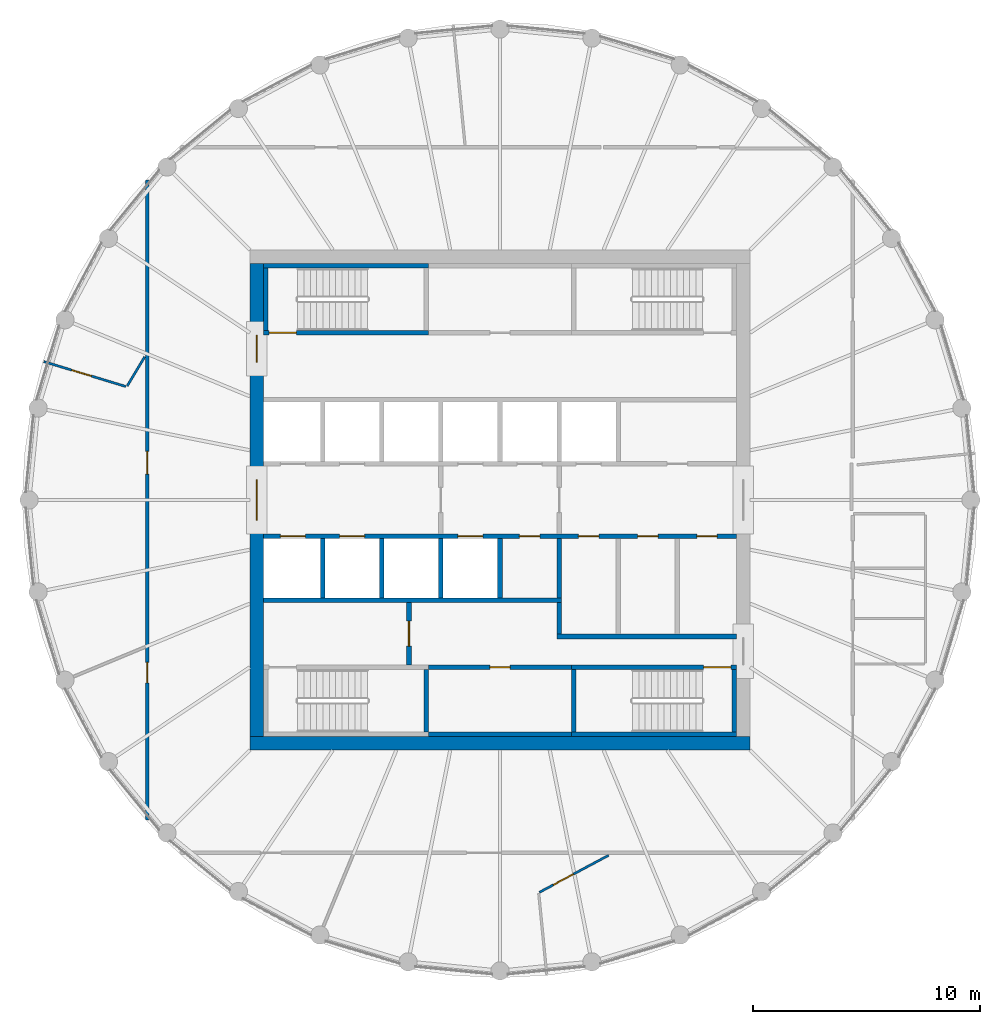
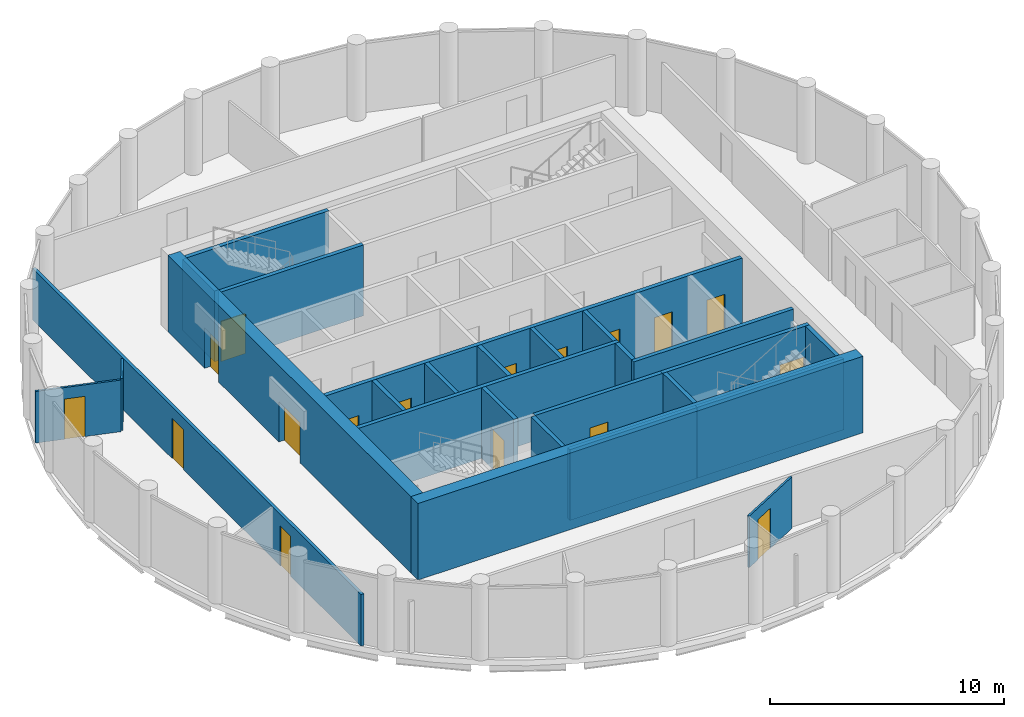
# One storey, part 4 of 7: 26 walls, 17 doors, 17 openings.
"""IFC4 building model written with IfcOpenShell, lengths in metres."""

from ifc_helpers import new_model, si_unit, direction, frame, frame_2d, origin, place, context, subcontext, project, spatial, polyline, rectangle, outline, extrude, material, layer, layer_set, type_object, element, fill, save


model = new_model("IFC4")

# Units and contexts
model_context = context("Model", 3, precision=1e-05, world=origin(), true_north=direction((0.0, 1.0)))
body_context = subcontext(model_context, "Body", "Model", "MODEL_VIEW")
ifc_project = project(units=[si_unit("LENGTHUNIT", "METRE"), si_unit("AREAUNIT", "SQUARE_METRE"), si_unit("VOLUMEUNIT", "CUBIC_METRE"), si_unit("PLANEANGLEUNIT", "RADIAN"), si_unit("MASSUNIT", "GRAM", prefix="KILO")], contexts=[model_context])

# Site, building, storey
site_placement = place(None, origin())
site = spatial("IfcSite", under=ifc_project, at=site_placement, CompositionType="ELEMENT")
building_placement = place(site_placement, origin())
building = spatial("IfcBuilding", under=site, at=building_placement, Name="Corvane Civic Tower", CompositionType="ELEMENT")
storey_placement = place(building_placement, frame((0.0, 0.0, 360.5)))
storey = spatial("IfcBuildingStorey", under=building, at=storey_placement, Name="L86", CompositionType="ELEMENT", Elevation=360.5)

# Wall
ifc_material_1 = material(Name="Concrete C40/50", Category="concrete")
ifc_layer_1 = layer(ifc_material_1, 0.60009765625)
ifc_layer_set_1 = layer_set([ifc_layer_1], Name="Concrete C40/50")
wall_type_1 = type_object("IfcWallType", Name="CORE WALL 600 C40/50", PredefinedType="SHEAR", material=ifc_layer_set_1)
wall_1_placement = place(storey_placement, frame((-11.0, -10.699951171875, 0.0), z_axis=(0.0, 0.0, 1.0), x_axis=(1.0, 0.0, 0.0)))
element("IfcWall", 1, at=wall_1_placement, inside=storey, type_object=wall_type_1, Name="W-L86-core-S", PredefinedType="SHEAR", context=body_context, shape_type="SweptSolid", body=[
    extrude(rectangle(XDim=22.0, YDim=0.60009765625, at=frame_2d((11.0, 0.0))), origin(), (0.0, 0.0, 1.0), 4.0),
])

# Wall, openings, doors
wall_2_placement = place(storey_placement, frame((-10.699951171875, -10.39990234375, 0.0), z_axis=(0.0, 0.0, 1.0), x_axis=(0.0, 1.0, 0.0)))
wall_2 = element("IfcWall", 2, at=wall_2_placement, inside=storey, type_object=wall_type_1, Name="W-L86-core-W", PredefinedType="SHEAR", context=body_context, shape_type="SweptSolid", body=[
    extrude(rectangle(XDim=20.7998046875, YDim=0.60009765625, at=frame_2d((10.39990234375, 0.0))), origin(), (0.0, 0.0, 1.0), 4.0),
])
opening_1_placement = place(wall_2_placement, frame((9.5, 0.0, 0.0)))
opening_1 = element("IfcOpeningElement", 3, at=opening_1_placement, cuts=wall_2, Name="Opening L86.C15", PredefinedType="OPENING", context=body_context, shape_type="SweptSolid", body=[
    extrude(rectangle(XDim=1.800048828125, YDim=2.10009765625, at=frame_2d((0.89990234375, 1.050048828125))), frame((0.0, 0.31005859375, 0.0), z_axis=(0.0, -1.0, 0.0), x_axis=(1.0, 0.0, 0.0)), (0.0, 0.0, 1.0), 0.6201171875),
])
opening_2_placement = place(wall_2_placement, frame((16.449951171875, 0.0, 0.0)))
opening_2 = element("IfcOpeningElement", 4, at=opening_2_placement, cuts=wall_2, Name="Opening L86.C17", PredefinedType="OPENING", context=body_context, shape_type="SweptSolid", body=[
    extrude(rectangle(XDim=1.199951171875, YDim=2.10009765625, at=frame_2d((0.60009765625, 1.050048828125))), frame((0.0, 0.31005859375, 0.0), z_axis=(0.0, -1.0, 0.0), x_axis=(1.0, 0.0, 0.0)), (0.0, 0.0, 1.0), 0.6201171875),
])
ifc_material_2 = material(Name="Steel fire door leaf", Category="steel")
door_type_1 = type_object("IfcDoorType", Name="CR-DOOR-CORE-1800", OperationType="DOUBLE_DOOR_SINGLE_SWING", PredefinedType="DOOR", material=ifc_material_2)
door_1_placement = place(opening_1_placement, origin())
door_1 = element("IfcDoor", 5, at=door_1_placement, inside=storey, type_object=door_type_1, Name="L86 door", OperationType="DOUBLE_DOOR_SINGLE_SWING", OverallHeight=2.10009765625, OverallWidth=1.800048828125, PredefinedType="DOOR", context=body_context, shape_type="SweptSolid", body=[
    extrude(rectangle(XDim=1.800048828125, YDim=2.10009765625, at=frame_2d((0.89990234375, 1.050048828125))), frame((0.0, 0.02490234375, 0.0), z_axis=(0.0, -1.0, 0.0), x_axis=(1.0, 0.0, 0.0)), (0.0, 0.0, 1.0), 0.050048828125),
])
fill(opening_1, door_1)
door_2_placement = place(opening_2_placement, origin())
door_2 = element("IfcDoor", 6, at=door_2_placement, inside=storey, type_object=door_type_1, Name="L86 door", OperationType="DOUBLE_DOOR_SINGLE_SWING", OverallHeight=2.10009765625, OverallWidth=1.199951171875, PredefinedType="DOOR", context=body_context, shape_type="SweptSolid", body=[
    extrude(rectangle(XDim=1.199951171875, YDim=2.10009765625, at=frame_2d((0.60009765625, 1.050048828125))), frame((0.0, 0.02490234375, 0.0), z_axis=(0.0, -1.0, 0.0), x_axis=(1.0, 0.0, 0.0)), (0.0, 0.0, 1.0), 0.050048828125),
])
fill(opening_2, door_2)

# Wall, opening, door
ifc_material_3 = material(Name="Concrete C30/37", Category="concrete")
ifc_layer_2 = layer(ifc_material_3, 0.199951171875)
ifc_layer_set_2 = layer_set([ifc_layer_2], Name="Concrete C30/37")
wall_type_2 = type_object("IfcWallType", Name="CR-WALL-200", PredefinedType="PARTITIONING", material=ifc_layer_set_2)
wall_3_placement = place(storey_placement, frame((-3.14990234375, -7.35009765625, 0.0), z_axis=(0.0, 0.0, 1.0), x_axis=(1.0, 0.0, 0.0)))
wall_3 = element("IfcWall", 7, at=wall_3_placement, inside=storey, type_object=wall_type_2, Name="L86 core partition wall", PredefinedType="PARTITIONING", context=body_context, shape_type="SweptSolid", body=[
    extrude(rectangle(XDim=6.2998046875, YDim=0.199951171875, at=frame_2d((3.14990234375, 0.0))), origin(), (0.0, 0.0, 1.0), 3.699951171875),
])
opening_3_placement = place(wall_3_placement, frame((2.699951171875, 0.0, 0.0)))
opening_3 = element("IfcOpeningElement", 8, at=opening_3_placement, cuts=wall_3, Name="Opening L86.C07", PredefinedType="OPENING", context=body_context, shape_type="SweptSolid", body=[
    extrude(rectangle(XDim=0.89990234375, YDim=2.10009765625, at=frame_2d((0.449951171875, 1.050048828125))), frame((0.0, 0.10986328125, 0.0), z_axis=(0.0, -1.0, 0.0), x_axis=(1.0, 0.0, 0.0)), (0.0, 0.0, 1.0), 0.219970703125),
])
ifc_material_4 = material(Name="Steel fire door leaf", Category="steel")
door_type_2 = type_object("IfcDoorType", Name="CR-DOOR-900", OperationType="SINGLE_SWING_LEFT", PredefinedType="DOOR", material=ifc_material_4)
door_3_placement = place(opening_3_placement, origin())
door_3 = element("IfcDoor", 9, at=door_3_placement, inside=storey, type_object=door_type_2, Name="L86 door", OperationType="SINGLE_SWING_LEFT", OverallHeight=2.10009765625, OverallWidth=0.89990234375, PredefinedType="DOOR", context=body_context, shape_type="SweptSolid", body=[
    extrude(rectangle(XDim=0.89990234375, YDim=2.10009765625, at=frame_2d((0.449951171875, 1.050048828125))), frame((0.0, 0.02490234375, 0.0), z_axis=(0.0, -1.0, 0.0), x_axis=(1.0, 0.0, 0.0)), (0.0, 0.0, 1.0), 0.050048828125),
])
fill(opening_3, door_3)

# Wall, openings, doors
wall_4_placement = place(storey_placement, frame((-10.39990234375, -1.60009765625, 0.0), z_axis=(0.0, 0.0, 1.0), x_axis=(1.0, 0.0, 0.0)))
wall_4 = element("IfcWall", 10, at=wall_4_placement, inside=storey, type_object=wall_type_2, Name="L86 lift shaft wall", PredefinedType="PARTITIONING", context=body_context, shape_type="SweptSolid", body=[
    extrude(rectangle(XDim=20.7998046875, YDim=0.199951171875, at=frame_2d((10.39990234375, 0.0))), origin(), (0.0, 0.0, 1.0), 3.699951171875),
])
opening_4_placement = place(wall_4_placement, frame((0.75, 0.0, 0.0)))
opening_4 = element("IfcOpeningElement", 11, at=opening_4_placement, cuts=wall_4, Name="Opening LD", PredefinedType="OPENING", context=body_context, shape_type="SweptSolid", body=[
    extrude(rectangle(XDim=1.10009765625, YDim=2.10009765625, at=frame_2d((0.550048828125, 1.050048828125))), frame((0.0, 0.10986328125, 0.0), z_axis=(0.0, -1.0, 0.0), x_axis=(1.0, 0.0, 0.0)), (0.0, 0.0, 1.0), 0.219970703125),
])
opening_5_placement = place(wall_4_placement, frame((3.35009765625, 0.0, 0.0)))
opening_5 = element("IfcOpeningElement", 12, at=opening_5_placement, cuts=wall_4, Name="Opening LD", PredefinedType="OPENING", context=body_context, shape_type="SweptSolid", body=[
    extrude(rectangle(XDim=1.10009765625, YDim=2.10009765625, at=frame_2d((0.550048828125, 1.050048828125))), frame((0.0, 0.10986328125, 0.0), z_axis=(0.0, -1.0, 0.0), x_axis=(1.0, 0.0, 0.0)), (0.0, 0.0, 1.0), 0.219970703125),
])
opening_6_placement = place(wall_4_placement, frame((8.550048828125, 0.0, 0.0)))
opening_6 = element("IfcOpeningElement", 13, at=opening_6_placement, cuts=wall_4, Name="Opening LD", PredefinedType="OPENING", context=body_context, shape_type="SweptSolid", body=[
    extrude(rectangle(XDim=1.10009765625, YDim=2.10009765625, at=frame_2d((0.550048828125, 1.050048828125))), frame((0.0, 0.10986328125, 0.0), z_axis=(0.0, -1.0, 0.0), x_axis=(1.0, 0.0, 0.0)), (0.0, 0.0, 1.0), 0.219970703125),
])
opening_7_placement = place(wall_4_placement, frame((11.25, 0.0, 0.0)))
opening_7 = element("IfcOpeningElement", 14, at=opening_7_placement, cuts=wall_4, Name="Opening L86.C02", PredefinedType="OPENING", context=body_context, shape_type="SweptSolid", body=[
    extrude(rectangle(XDim=0.89990234375, YDim=2.10009765625, at=frame_2d((0.449951171875, 1.050048828125))), frame((0.0, 0.10986328125, 0.0), z_axis=(0.0, -1.0, 0.0), x_axis=(1.0, 0.0, 0.0)), (0.0, 0.0, 1.0), 0.219970703125),
])
opening_8_placement = place(wall_4_placement, frame((13.85009765625, 0.0, 0.0)))
opening_8 = element("IfcOpeningElement", 15, at=opening_8_placement, cuts=wall_4, Name="Opening L86.C03", PredefinedType="OPENING", context=body_context, shape_type="SweptSolid", body=[
    extrude(rectangle(XDim=0.89990234375, YDim=2.10009765625, at=frame_2d((0.449951171875, 1.050048828125))), frame((0.0, 0.10986328125, 0.0), z_axis=(0.0, -1.0, 0.0), x_axis=(1.0, 0.0, 0.0)), (0.0, 0.0, 1.0), 0.219970703125),
])
opening_9_placement = place(wall_4_placement, frame((16.449951171875, 0.0, 0.0)))
opening_9 = element("IfcOpeningElement", 16, at=opening_9_placement, cuts=wall_4, Name="Opening L86.C04", PredefinedType="OPENING", context=body_context, shape_type="SweptSolid", body=[
    extrude(rectangle(XDim=0.89990234375, YDim=2.10009765625, at=frame_2d((0.449951171875, 1.050048828125))), frame((0.0, 0.10986328125, 0.0), z_axis=(0.0, -1.0, 0.0), x_axis=(1.0, 0.0, 0.0)), (0.0, 0.0, 1.0), 0.219970703125),
])
opening_10_placement = place(wall_4_placement, frame((19.050048828125, 0.0, 0.0)))
opening_10 = element("IfcOpeningElement", 17, at=opening_10_placement, cuts=wall_4, Name="Opening L86.C05", PredefinedType="OPENING", context=body_context, shape_type="SweptSolid", body=[
    extrude(rectangle(XDim=0.89990234375, YDim=2.10009765625, at=frame_2d((0.449951171875, 1.050048828125))), frame((0.0, 0.10986328125, 0.0), z_axis=(0.0, -1.0, 0.0), x_axis=(1.0, 0.0, 0.0)), (0.0, 0.0, 1.0), 0.219970703125),
])
door_4_placement = place(opening_7_placement, origin())
door_4 = element("IfcDoor", 18, at=door_4_placement, inside=storey, type_object=door_type_2, Name="L86 door", OperationType="SINGLE_SWING_LEFT", OverallHeight=2.10009765625, OverallWidth=0.89990234375, PredefinedType="DOOR", context=body_context, shape_type="SweptSolid", body=[
    extrude(rectangle(XDim=0.89990234375, YDim=2.10009765625, at=frame_2d((0.449951171875, 1.050048828125))), frame((0.0, 0.02490234375, 0.0), z_axis=(0.0, -1.0, 0.0), x_axis=(1.0, 0.0, 0.0)), (0.0, 0.0, 1.0), 0.050048828125),
])
fill(opening_7, door_4)
door_5_placement = place(opening_8_placement, origin())
door_5 = element("IfcDoor", 19, at=door_5_placement, inside=storey, type_object=door_type_2, Name="L86 door", OperationType="SINGLE_SWING_LEFT", OverallHeight=2.10009765625, OverallWidth=0.89990234375, PredefinedType="DOOR", context=body_context, shape_type="SweptSolid", body=[
    extrude(rectangle(XDim=0.89990234375, YDim=2.10009765625, at=frame_2d((0.449951171875, 1.050048828125))), frame((0.0, 0.02490234375, 0.0), z_axis=(0.0, -1.0, 0.0), x_axis=(1.0, 0.0, 0.0)), (0.0, 0.0, 1.0), 0.050048828125),
])
fill(opening_8, door_5)
door_6_placement = place(opening_9_placement, origin())
door_6 = element("IfcDoor", 20, at=door_6_placement, inside=storey, type_object=door_type_2, Name="L86 door", OperationType="SINGLE_SWING_LEFT", OverallHeight=2.10009765625, OverallWidth=0.89990234375, PredefinedType="DOOR", context=body_context, shape_type="SweptSolid", body=[
    extrude(rectangle(XDim=0.89990234375, YDim=2.10009765625, at=frame_2d((0.449951171875, 1.050048828125))), frame((0.0, 0.02490234375, 0.0), z_axis=(0.0, -1.0, 0.0), x_axis=(1.0, 0.0, 0.0)), (0.0, 0.0, 1.0), 0.050048828125),
])
fill(opening_9, door_6)
door_7_placement = place(opening_10_placement, origin())
door_7 = element("IfcDoor", 21, at=door_7_placement, inside=storey, type_object=door_type_2, Name="L86 door", OperationType="SINGLE_SWING_LEFT", OverallHeight=2.10009765625, OverallWidth=0.89990234375, PredefinedType="DOOR", context=body_context, shape_type="SweptSolid", body=[
    extrude(rectangle(XDim=0.89990234375, YDim=2.10009765625, at=frame_2d((0.449951171875, 1.050048828125))), frame((0.0, 0.02490234375, 0.0), z_axis=(0.0, -1.0, 0.0), x_axis=(1.0, 0.0, 0.0)), (0.0, 0.0, 1.0), 0.050048828125),
])
fill(opening_10, door_7)
ifc_material_5 = material(Name="Stainless steel 316 door leaves", Category="steel")
door_type_3 = type_object("IfcDoorType", Name="LD", OperationType="DOUBLE_DOOR_SLIDING", PredefinedType="DOOR", material=ifc_material_5)
door_8_placement = place(opening_4_placement, origin())
door_8 = element("IfcDoor", 22, at=door_8_placement, inside=storey, type_object=door_type_3, Name="L86 landing door", OperationType="DOUBLE_DOOR_SLIDING", OverallHeight=2.10009765625, OverallWidth=1.10009765625, PredefinedType="DOOR", context=body_context, shape_type="SweptSolid", body=[
    extrude(rectangle(XDim=1.10009765625, YDim=2.10009765625, at=frame_2d((0.550048828125, 1.050048828125))), frame((0.0, 0.02490234375, 0.0), z_axis=(0.0, -1.0, 0.0), x_axis=(1.0, 0.0, 0.0)), (0.0, 0.0, 1.0), 0.050048828125),
])
fill(opening_4, door_8)
door_9_placement = place(opening_5_placement, origin())
door_9 = element("IfcDoor", 23, at=door_9_placement, inside=storey, type_object=door_type_3, Name="L86 landing door", OperationType="DOUBLE_DOOR_SLIDING", OverallHeight=2.10009765625, OverallWidth=1.10009765625, PredefinedType="DOOR", context=body_context, shape_type="SweptSolid", body=[
    extrude(rectangle(XDim=1.10009765625, YDim=2.10009765625, at=frame_2d((0.550048828125, 1.050048828125))), frame((0.0, 0.02490234375, 0.0), z_axis=(0.0, -1.0, 0.0), x_axis=(1.0, 0.0, 0.0)), (0.0, 0.0, 1.0), 0.050048828125),
])
fill(opening_5, door_9)
door_10_placement = place(opening_6_placement, origin())
door_10 = element("IfcDoor", 24, at=door_10_placement, inside=storey, type_object=door_type_3, Name="L86 landing door", OperationType="DOUBLE_DOOR_SLIDING", OverallHeight=2.10009765625, OverallWidth=1.10009765625, PredefinedType="DOOR", context=body_context, shape_type="SweptSolid", body=[
    extrude(rectangle(XDim=1.10009765625, YDim=2.10009765625, at=frame_2d((0.550048828125, 1.050048828125))), frame((0.0, 0.02490234375, 0.0), z_axis=(0.0, -1.0, 0.0), x_axis=(1.0, 0.0, 0.0)), (0.0, 0.0, 1.0), 0.050048828125),
])
fill(opening_6, door_10)

# Wall, opening, door
wall_5_placement = place(storey_placement, frame((-4.0, -7.25, 0.0), z_axis=(0.0, 0.0, 1.0), x_axis=(0.0, 1.0, 0.0)))
wall_5 = element("IfcWall", 25, at=wall_5_placement, inside=storey, type_object=wall_type_2, Name="L86 core partition wall", PredefinedType="PARTITIONING", context=body_context, shape_type="SweptSolid", body=[
    extrude(rectangle(XDim=2.75, YDim=0.199951171875, at=frame_2d((1.375, 0.0))), origin(), (0.0, 0.0, 1.0), 3.699951171875),
])
opening_11_placement = place(wall_5_placement, frame((0.824951171875, 0.0, 0.0)))
opening_11 = element("IfcOpeningElement", 26, at=opening_11_placement, cuts=wall_5, Name="Opening L86.C14", PredefinedType="OPENING", context=body_context, shape_type="SweptSolid", body=[
    extrude(rectangle(XDim=1.10009765625, YDim=2.10009765625, at=frame_2d((0.550048828125, 1.050048828125))), frame((0.0, 0.10986328125, 0.0), z_axis=(0.0, -1.0, 0.0), x_axis=(1.0, 0.0, 0.0)), (0.0, 0.0, 1.0), 0.219970703125),
])
ifc_material_6 = material(Name="Steel fire door leaf", Category="steel")
door_type_4 = type_object("IfcDoorType", Name="CR-DOOR-FFL-1100", OperationType="SINGLE_SWING_LEFT", PredefinedType="DOOR", material=ifc_material_6)
door_11_placement = place(opening_11_placement, origin())
door_11 = element("IfcDoor", 27, at=door_11_placement, inside=storey, type_object=door_type_4, Name="L86 lobby door", OperationType="SINGLE_SWING_LEFT", OverallHeight=2.10009765625, OverallWidth=1.10009765625, PredefinedType="DOOR", context=body_context, shape_type="SweptSolid", body=[
    extrude(rectangle(XDim=1.10009765625, YDim=2.10009765625, at=frame_2d((0.550048828125, 1.050048828125))), frame((0.0, 0.02490234375, 0.0), z_axis=(0.0, -1.0, 0.0), x_axis=(1.0, 0.0, 0.0)), (0.0, 0.0, 1.0), 0.050048828125),
])
fill(opening_11, door_11)

# Walls
wall_6_placement = place(storey_placement, origin())
element("IfcWall", 28, at=wall_6_placement, inside=storey, type_object=wall_type_2, Name="L86 core partition wall", PredefinedType="PARTITIONING", context=body_context, shape_type="SweptSolid", body=[
    extrude(outline(polyline([(2.699951171875, -4.300048828125), (2.699951171875, -4.5), (-10.39990234375, -4.5), (-10.39990234375, -4.300048828125), (2.699951171875, -4.300048828125)])), origin(), (0.0, 0.0, 1.0), 3.699951171875),
])
wall_7_placement = place(storey_placement, origin())
element("IfcWall", 29, at=wall_7_placement, inside=storey, type_object=wall_type_2, Name="L86 core partition wall", PredefinedType="PARTITIONING", context=body_context, shape_type="SweptSolid", body=[
    extrude(outline(polyline([(10.39990234375, -6.10009765625), (2.5, -6.10009765625), (2.5, -5.89990234375), (10.39990234375, -5.89990234375), (10.39990234375, -6.10009765625)])), origin(), (0.0, 0.0, 1.0), 3.699951171875),
])
wall_8_placement = place(storey_placement, origin())
element("IfcWall", 30, at=wall_8_placement, inside=storey, type_object=wall_type_2, Name="L86 core partition wall", PredefinedType="PARTITIONING", context=body_context, shape_type="SweptSolid", body=[
    extrude(outline(polyline([(-2.5, -1.699951171875), (-2.5, -4.2998046875), (-2.699951171875, -4.2998046875), (-2.699951171875, -1.699951171875), (-2.5, -1.699951171875)])), origin(), (0.0, 0.0, 1.0), 3.699951171875),
])
wall_9_placement = place(storey_placement, origin())
element("IfcWall", 31, at=wall_9_placement, inside=storey, type_object=wall_type_2, Name="L86 core partition wall", PredefinedType="PARTITIONING", context=body_context, shape_type="SweptSolid", body=[
    extrude(outline(polyline([(2.699951171875, -1.699951171875), (2.699951171875, -4.2998046875), (2.5, -4.2998046875), (2.5, -1.699951171875), (2.699951171875, -1.699951171875)])), origin(), (0.0, 0.0, 1.0), 3.699951171875),
])
wall_10_placement = place(storey_placement, origin())
element("IfcWall", 32, at=wall_10_placement, inside=storey, type_object=wall_type_2, Name="L86 core partition wall", PredefinedType="PARTITIONING", context=body_context, shape_type="SweptSolid", body=[
    extrude(outline(polyline([(0.10009765625, -1.699951171875), (0.10009765625, -4.2998046875), (-0.10009765625, -4.2998046875), (-0.10009765625, -1.699951171875), (0.10009765625, -1.699951171875)])), origin(), (0.0, 0.0, 1.0), 3.699951171875),
])
wall_11_placement = place(storey_placement, origin())
element("IfcWall", 33, at=wall_11_placement, inside=storey, type_object=wall_type_2, Name="L86 core partition wall", PredefinedType="PARTITIONING", context=body_context, shape_type="SweptSolid", body=[
    extrude(outline(polyline([(-7.699951171875, -1.699951171875), (-7.699951171875, -4.2998046875), (-7.89990234375, -4.2998046875), (-7.89990234375, -1.699951171875), (-7.699951171875, -1.699951171875)])), origin(), (0.0, 0.0, 1.0), 3.699951171875),
])
wall_12_placement = place(storey_placement, origin())
element("IfcWall", 34, at=wall_12_placement, inside=storey, type_object=wall_type_2, Name="L86 core partition wall", PredefinedType="PARTITIONING", context=body_context, shape_type="SweptSolid", body=[
    extrude(outline(polyline([(-5.10009765625, -1.699951171875), (-5.10009765625, -4.2998046875), (-5.300048828125, -4.2998046875), (-5.300048828125, -1.699951171875), (-5.10009765625, -1.699951171875)])), origin(), (0.0, 0.0, 1.0), 3.699951171875),
])
wall_13_placement = place(storey_placement, origin())
element("IfcWall", 35, at=wall_13_placement, inside=storey, type_object=wall_type_2, Name="L86 core partition wall", PredefinedType="PARTITIONING", context=body_context, shape_type="SweptSolid", body=[
    extrude(outline(polyline([(2.699951171875, -5.89990234375), (2.5, -5.89990234375), (2.5, -4.5), (2.699951171875, -4.5), (2.699951171875, -5.89990234375)])), origin(), (0.0, 0.0, 1.0), 3.699951171875),
])
wall_14_placement = place(storey_placement, origin())
element("IfcWall", 36, at=wall_14_placement, inside=storey, type_object=wall_type_2, Name="L86 core partition wall", PredefinedType="PARTITIONING", context=body_context, shape_type="SweptSolid", body=[
    extrude(outline(polyline([(3.14990234375, -10.199951171875), (3.14990234375, -10.39990234375), (-3.14990234375, -10.39990234375), (-3.14990234375, -10.199951171875), (3.14990234375, -10.199951171875)])), origin(), (0.0, 0.0, 1.0), 3.699951171875),
])

# Wall, opening, door
ifc_material_7 = material(Name="Plasterboard")
ifc_layer_3 = layer(ifc_material_7, 0.10009765625)
ifc_layer_set_3 = layer_set([ifc_layer_3], Name="Plasterboard")
wall_type_3 = type_object("IfcWallType", Name="Partition 100 plasterboard on studs", PredefinedType="PARTITIONING", material=ifc_layer_set_3)
wall_15_placement = place(storey_placement, frame((1.729736328125, -17.24658203125, 0.0), z_axis=(0.0, 0.0, 1.0), x_axis=(0.881933696046, 0.471373478018, 0.0)))
wall_15 = element("IfcWall", 37, at=wall_15_placement, inside=storey, type_object=wall_type_3, Name="Partition L86.003", PredefinedType="PARTITIONING", context=body_context, shape_type="SweptSolid", body=[
    extrude(rectangle(XDim=3.45263671875, YDim=0.10009765625, at=frame_2d((1.726318359375, 0.0))), origin(), (0.0, 0.0, 1.0), 2.699951171875),
])
opening_12_placement = place(wall_15_placement, frame((0.698486328125, 0.0, 0.0)))
opening_12 = element("IfcOpeningElement", 38, at=opening_12_placement, cuts=wall_15, Name="Opening L86.012", PredefinedType="OPENING", context=body_context, shape_type="SweptSolid", body=[
    extrude(rectangle(XDim=1.0, YDim=2.10009765625, at=frame_2d((0.5, 1.050048828125))), frame((0.0, 0.06005859375, 0.0), z_axis=(0.0, -1.0, 0.0), x_axis=(1.0, 0.0, 0.0)), (0.0, 0.0, 1.0), 0.1201171875),
])
ifc_material_8 = material(Name="Timber", Category="wood")
door_type_5 = type_object("IfcDoorType", Name="Single door 1000", OperationType="NOTDEFINED", PredefinedType="DOOR", material=ifc_material_8)
door_12_placement = place(opening_12_placement, frame((1.0, 0.0, 0.0), z_axis=(0.0, 0.0, 1.0), x_axis=(-1.0, 0.0, 0.0)))
door_12 = element("IfcDoor", 39, at=door_12_placement, inside=storey, type_object=door_type_5, Name="Door L86.012", OperationType="SINGLE_SWING_LEFT", OverallHeight=2.10009765625, OverallWidth=1.0, PredefinedType="DOOR", context=body_context, shape_type="SweptSolid", body=[
    extrude(rectangle(XDim=1.0, YDim=2.10009765625, at=frame_2d((0.5, 1.050048828125))), frame((0.0, 0.02490234375, 0.0), z_axis=(0.0, -1.0, 0.0), x_axis=(1.0, 0.0, 0.0)), (0.0, 0.0, 1.0), 0.050048828125),
])
fill(opening_12, door_12)

wall_16_placement = place(storey_placement, frame((-20.048095703125, 6.08154296875, 0.0), z_axis=(0.0, 0.0, 1.0), x_axis=(0.956929476213, -0.290320473881, 0.0)))
wall_16 = element("IfcWall", 40, at=wall_16_placement, inside=storey, type_object=wall_type_3, Name="Partition L86.016", PredefinedType="PARTITIONING", context=body_context, shape_type="SweptSolid", body=[
    extrude(rectangle(XDim=3.765625, YDim=0.10009765625, at=frame_2d((1.8828125, 0.0))), origin(), (0.0, 0.0, 1.0), 2.699951171875),
])
opening_13_placement = place(wall_16_placement, frame((1.27880859375, 0.0, 0.0)))
opening_13 = element("IfcOpeningElement", 41, at=opening_13_placement, cuts=wall_16, Name="Opening L86.004", PredefinedType="OPENING", context=body_context, shape_type="SweptSolid", body=[
    extrude(rectangle(XDim=0.89990234375, YDim=2.10009765625, at=frame_2d((0.449951171875, 1.050048828125))), frame((0.0, 0.06005859375, 0.0), z_axis=(0.0, -1.0, 0.0), x_axis=(1.0, 0.0, 0.0)), (0.0, 0.0, 1.0), 0.1201171875),
])
ifc_material_9 = material(Name="Timber", Category="wood")
door_type_6 = type_object("IfcDoorType", Name="Single door 900", OperationType="NOTDEFINED", PredefinedType="DOOR", material=ifc_material_9)
door_13_placement = place(opening_13_placement, origin())
door_13 = element("IfcDoor", 42, at=door_13_placement, inside=storey, type_object=door_type_6, Name="Door L86.004", OperationType="SINGLE_SWING_LEFT", OverallHeight=2.10009765625, OverallWidth=0.89990234375, PredefinedType="DOOR", context=body_context, shape_type="SweptSolid", body=[
    extrude(rectangle(XDim=0.89990234375, YDim=2.10009765625, at=frame_2d((0.449951171875, 1.050048828125))), frame((0.0, 0.02490234375, 0.0), z_axis=(0.0, -1.0, 0.0), x_axis=(1.0, 0.0, 0.0)), (0.0, 0.0, 1.0), 0.050048828125),
])
fill(opening_13, door_13)

# Wall
wall_17_placement = place(storey_placement, frame((-16.38720703125, 5.010498046875, 0.0), z_axis=(0.0, 0.0, 1.0), x_axis=(0.514039863044, 0.857766296378, 0.0)))
element("IfcWall", 43, at=wall_17_placement, inside=storey, type_object=wall_type_3, Name="Partition L86.017", PredefinedType="PARTITIONING", context=body_context, shape_type="SweptSolid", body=[
    extrude(rectangle(XDim=1.49658203125, YDim=0.10009765625, at=frame_2d((0.748291015625, 0.0))), origin(), (0.0, 0.0, 1.0), 2.699951171875),
])

# Wall, opening, door
ifc_material_10 = material(Name="Concrete C50/60", Category="concrete")
ifc_layer_4 = layer(ifc_material_10, 0.199951171875)
ifc_layer_set_4 = layer_set([ifc_layer_4], Name="Concrete C50/60")
wall_type_4 = type_object("IfcWallType", Name="ST-WALL-200", PredefinedType="SHEAR", material=ifc_layer_set_4)
wall_18_placement = place(storey_placement, frame((3.14990234375, -7.35009765625, 0.0), z_axis=(0.0, 0.0, 1.0), x_axis=(1.0, 0.0, 0.0)))
wall_18 = element("IfcWall", 44, at=wall_18_placement, inside=storey, type_object=wall_type_4, Name="L86 stair enclosure wall", PredefinedType="SHEAR", context=body_context, shape_type="SweptSolid", body=[
    extrude(rectangle(XDim=7.25, YDim=0.199951171875, at=frame_2d((3.625, 0.0))), origin(), (0.0, 0.0, 1.0), 3.699951171875),
])
opening_14_placement = place(wall_18_placement, frame((5.800048828125, 0.0, 0.0)))
opening_14 = element("IfcOpeningElement", 45, at=opening_14_placement, cuts=wall_18, Name="Opening L86.C10", PredefinedType="OPENING", context=body_context, shape_type="SweptSolid", body=[
    extrude(rectangle(XDim=1.199951171875, YDim=2.10009765625, at=frame_2d((0.60009765625, 1.050048828125))), frame((0.0, 0.10986328125, 0.0), z_axis=(0.0, -1.0, 0.0), x_axis=(1.0, 0.0, 0.0)), (0.0, 0.0, 1.0), 0.219970703125),
])
ifc_material_11 = material(Name="Steel fire door leaf", Category="steel")
door_type_7 = type_object("IfcDoorType", Name="ST-DOOR-1200", OperationType="SINGLE_SWING_RIGHT", PredefinedType="DOOR", material=ifc_material_11)
door_14_placement = place(opening_14_placement, origin())
door_14 = element("IfcDoor", 46, at=door_14_placement, inside=storey, type_object=door_type_7, Name="L86 stair door", OperationType="SINGLE_SWING_RIGHT", OverallHeight=2.10009765625, OverallWidth=1.199951171875, PredefinedType="DOOR", context=body_context, shape_type="SweptSolid", body=[
    extrude(rectangle(XDim=1.199951171875, YDim=2.10009765625, at=frame_2d((0.60009765625, 1.050048828125))), frame((0.0, 0.02490234375, 0.0), z_axis=(0.0, -1.0, 0.0), x_axis=(1.0, 0.0, 0.0)), (0.0, 0.0, 1.0), 0.050048828125),
])
fill(opening_14, door_14)

wall_19_placement = place(storey_placement, frame((-10.39990234375, 7.35009765625, 0.0), z_axis=(0.0, 0.0, 1.0), x_axis=(1.0, 0.0, 0.0)))
wall_19 = element("IfcWall", 47, at=wall_19_placement, inside=storey, type_object=wall_type_4, Name="L86 stair enclosure wall", PredefinedType="SHEAR", context=body_context, shape_type="SweptSolid", body=[
    extrude(rectangle(XDim=7.25, YDim=0.199951171875, at=frame_2d((3.625, 0.0))), origin(), (0.0, 0.0, 1.0), 3.699951171875),
])
opening_15_placement = place(wall_19_placement, frame((0.25, 0.0, 0.0)))
opening_15 = element("IfcOpeningElement", 48, at=opening_15_placement, cuts=wall_19, Name="Opening L86.C09", PredefinedType="OPENING", context=body_context, shape_type="SweptSolid", body=[
    extrude(rectangle(XDim=1.199951171875, YDim=2.10009765625, at=frame_2d((0.60009765625, 1.050048828125))), frame((0.0, 0.10986328125, 0.0), z_axis=(0.0, -1.0, 0.0), x_axis=(1.0, 0.0, 0.0)), (0.0, 0.0, 1.0), 0.219970703125),
])
door_15_placement = place(opening_15_placement, origin())
door_15 = element("IfcDoor", 49, at=door_15_placement, inside=storey, type_object=door_type_7, Name="L86 stair door", OperationType="SINGLE_SWING_RIGHT", OverallHeight=2.10009765625, OverallWidth=1.199951171875, PredefinedType="DOOR", context=body_context, shape_type="SweptSolid", body=[
    extrude(rectangle(XDim=1.199951171875, YDim=2.10009765625, at=frame_2d((0.60009765625, 1.050048828125))), frame((0.0, 0.02490234375, 0.0), z_axis=(0.0, -1.0, 0.0), x_axis=(1.0, 0.0, 0.0)), (0.0, 0.0, 1.0), 0.050048828125),
])
fill(opening_15, door_15)

# Walls
wall_20_placement = place(storey_placement, origin())
element("IfcWall", 50, at=wall_20_placement, inside=storey, type_object=wall_type_4, Name="L86 stair enclosure wall", PredefinedType="SHEAR", context=body_context, shape_type="SweptSolid", body=[
    extrude(outline(polyline([(-3.14990234375, 10.199951171875), (-10.39990234375, 10.199951171875), (-10.39990234375, 10.39990234375), (-3.14990234375, 10.39990234375), (-3.14990234375, 10.199951171875)])), origin(), (0.0, 0.0, 1.0), 3.699951171875),
])
wall_21_placement = place(storey_placement, origin())
element("IfcWall", 51, at=wall_21_placement, inside=storey, type_object=wall_type_4, Name="L86 stair enclosure wall", PredefinedType="SHEAR", context=body_context, shape_type="SweptSolid", body=[
    extrude(outline(polyline([(10.39990234375, -10.39990234375), (3.14990234375, -10.39990234375), (3.14990234375, -10.199951171875), (10.39990234375, -10.199951171875), (10.39990234375, -10.39990234375)])), origin(), (0.0, 0.0, 1.0), 3.699951171875),
])
wall_22_placement = place(storey_placement, origin())
element("IfcWall", 52, at=wall_22_placement, inside=storey, type_object=wall_type_4, Name="L86 stair enclosure wall", PredefinedType="SHEAR", context=body_context, shape_type="SweptSolid", body=[
    extrude(outline(polyline([(-3.14990234375, -7.449951171875), (-3.14990234375, -10.199951171875), (-3.35009765625, -10.199951171875), (-3.35009765625, -7.449951171875), (-3.14990234375, -7.449951171875)])), origin(), (0.0, 0.0, 1.0), 3.699951171875),
])
wall_23_placement = place(storey_placement, origin())
element("IfcWall", 53, at=wall_23_placement, inside=storey, type_object=wall_type_4, Name="L86 stair enclosure wall", PredefinedType="SHEAR", context=body_context, shape_type="SweptSolid", body=[
    extrude(outline(polyline([(3.35009765625, -7.449951171875), (3.35009765625, -10.199951171875), (3.14990234375, -10.199951171875), (3.14990234375, -7.449951171875), (3.35009765625, -7.449951171875)])), origin(), (0.0, 0.0, 1.0), 3.699951171875),
])
wall_24_placement = place(storey_placement, origin())
element("IfcWall", 54, at=wall_24_placement, inside=storey, type_object=wall_type_4, Name="L86 stair enclosure wall", PredefinedType="SHEAR", context=body_context, shape_type="SweptSolid", body=[
    extrude(outline(polyline([(-10.199951171875, 7.449951171875), (-10.39990234375, 7.449951171875), (-10.39990234375, 10.199951171875), (-10.199951171875, 10.199951171875), (-10.199951171875, 7.449951171875)])), origin(), (0.0, 0.0, 1.0), 3.699951171875),
])
wall_25_placement = place(storey_placement, origin())
element("IfcWall", 55, at=wall_25_placement, inside=storey, type_object=wall_type_4, Name="L86 stair enclosure wall", PredefinedType="SHEAR", context=body_context, shape_type="SweptSolid", body=[
    extrude(outline(polyline([(10.39990234375, -7.449951171875), (10.39990234375, -10.199951171875), (10.199951171875, -10.199951171875), (10.199951171875, -7.449951171875), (10.39990234375, -7.449951171875)])), origin(), (0.0, 0.0, 1.0), 3.699951171875),
])

# Wall, openings, doors
ifc_material_12 = material(Name="Plasterboard")
ifc_layer_5 = layer(ifc_material_12, 0.14990234375)
ifc_layer_set_5 = layer_set([ifc_layer_5], Name="Plasterboard")
wall_type_5 = type_object("IfcWallType", Name="Tenancy wall 150 EI 60", PredefinedType="PARTITIONING", material=ifc_layer_set_5)
wall_26_placement = place(storey_placement, frame((-15.5, -14.05712890625, 0.0), z_axis=(0.0, 0.0, 1.0), x_axis=(0.0, 1.0, 0.0)))
wall_26 = element("IfcWall", 56, at=wall_26_placement, inside=storey, type_object=wall_type_5, Name="Partition L86.005", PredefinedType="PARTITIONING", context=body_context, shape_type="SweptSolid", body=[
    extrude(rectangle(XDim=28.1142578125, YDim=0.14990234375, at=frame_2d((14.05712890625, 0.0))), origin(), (0.0, 0.0, 1.0), 2.699951171875),
])
opening_16_placement = place(wall_26_placement, frame((6.0224609375, 0.0, 0.0)))
opening_16 = element("IfcOpeningElement", 57, at=opening_16_placement, cuts=wall_26, Name="Opening L86.002", PredefinedType="OPENING", context=body_context, shape_type="SweptSolid", body=[
    extrude(rectangle(XDim=0.89990234375, YDim=2.10009765625, at=frame_2d((0.449951171875, 1.050048828125))), frame((0.0, 0.0849609375, 0.0), z_axis=(0.0, -1.0, 0.0), x_axis=(1.0, 0.0, 0.0)), (0.0, 0.0, 1.0), 0.169921875),
])
opening_17_placement = place(wall_26_placement, frame((15.189697265625, 0.0, 0.0)))
opening_17 = element("IfcOpeningElement", 58, at=opening_17_placement, cuts=wall_26, Name="Opening L86.003", PredefinedType="OPENING", context=body_context, shape_type="SweptSolid", body=[
    extrude(rectangle(XDim=1.0, YDim=2.10009765625, at=frame_2d((0.5, 1.050048828125))), frame((0.0, 0.0849609375, 0.0), z_axis=(0.0, -1.0, 0.0), x_axis=(1.0, 0.0, 0.0)), (0.0, 0.0, 1.0), 0.169921875),
])
ifc_material_13 = material(Name="Steel and timber", Category="steel")
door_type_8 = type_object("IfcDoorType", Name="Fire door FD30S 1000", OperationType="NOTDEFINED", PredefinedType="DOOR", material=ifc_material_13)
door_16_placement = place(opening_17_placement, origin())
door_16 = element("IfcDoor", 59, at=door_16_placement, inside=storey, type_object=door_type_8, Name="Door L86.003", OperationType="SINGLE_SWING_LEFT", OverallHeight=2.10009765625, OverallWidth=1.0, PredefinedType="DOOR", context=body_context, shape_type="SweptSolid", body=[
    extrude(rectangle(XDim=1.0, YDim=2.10009765625, at=frame_2d((0.5, 1.050048828125))), frame((0.0, 0.02490234375, 0.0), z_axis=(0.0, -1.0, 0.0), x_axis=(1.0, 0.0, 0.0)), (0.0, 0.0, 1.0), 0.050048828125),
])
fill(opening_17, door_16)
ifc_material_14 = material(Name="Steel and timber", Category="steel")
door_type_9 = type_object("IfcDoorType", Name="Fire door FD30S 900", OperationType="NOTDEFINED", PredefinedType="DOOR", material=ifc_material_14)
door_17_placement = place(opening_16_placement, origin())
door_17 = element("IfcDoor", 60, at=door_17_placement, inside=storey, type_object=door_type_9, Name="Door L86.002", OperationType="SINGLE_SWING_RIGHT", OverallHeight=2.10009765625, OverallWidth=0.89990234375, PredefinedType="DOOR", context=body_context, shape_type="SweptSolid", body=[
    extrude(rectangle(XDim=0.89990234375, YDim=2.10009765625, at=frame_2d((0.449951171875, 1.050048828125))), frame((0.0, 0.02490234375, 0.0), z_axis=(0.0, -1.0, 0.0), x_axis=(1.0, 0.0, 0.0)), (0.0, 0.0, 1.0), 0.050048828125),
])
fill(opening_16, door_17)

save(model, "model.ifc")
